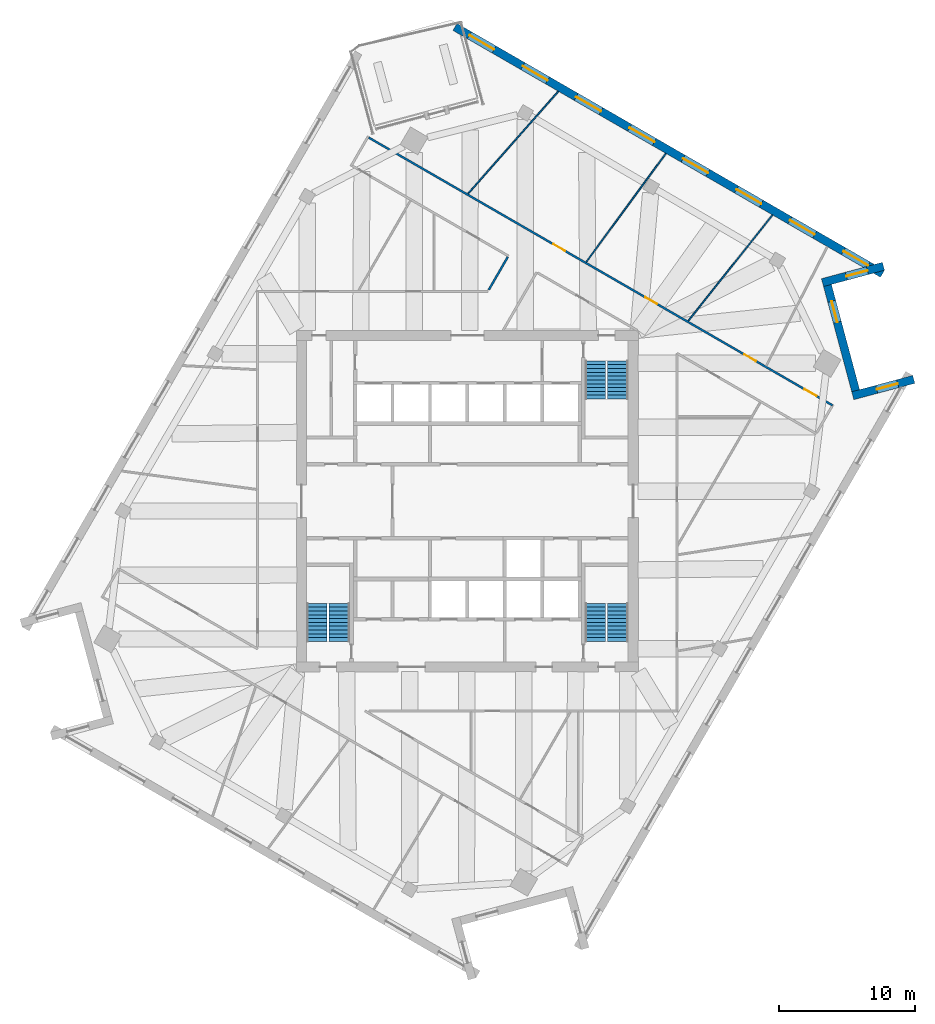
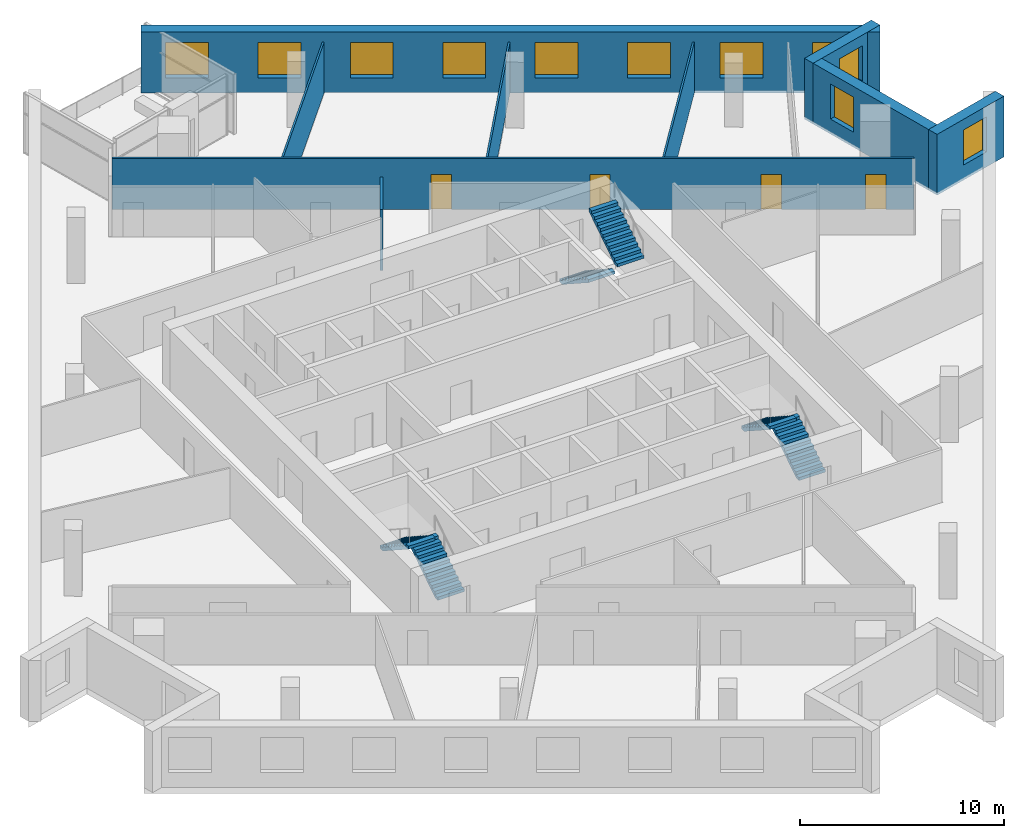
# One storey, part 11 of 13: 11 windows, 9 walls, 6 stair flights, 4 doors, 15 openings, 3 elements without a shape of their own.
"""IFC4 building model written with IfcOpenShell, lengths in metres."""

from ifc_helpers import new_model, si_unit, direction, frame, frame_2d, origin, place, context, subcontext, project, spatial, polyline, rectangle, outline, extrude, material, layer, layer_set, type_object, element, fill, aggregate, save


model = new_model("IFC4")

# Units and contexts
model_context = context("Model", 3, precision=1e-05, world=origin(), true_north=direction((0.0, 1.0)))
body_context = subcontext(model_context, "Body", "Model", "MODEL_VIEW")
ifc_project = project(units=[si_unit("LENGTHUNIT", "METRE"), si_unit("AREAUNIT", "SQUARE_METRE"), si_unit("VOLUMEUNIT", "CUBIC_METRE"), si_unit("PLANEANGLEUNIT", "RADIAN"), si_unit("MASSUNIT", "GRAM", prefix="KILO")], contexts=[model_context])

# Site, building, storey
site_placement = place(None, origin())
site = spatial("IfcSite", under=ifc_project, at=site_placement, CompositionType="ELEMENT")
building_placement = place(site_placement, origin())
building = spatial("IfcBuilding", under=site, at=building_placement, Name="Dilmun Exchange Tower", CompositionType="ELEMENT")
storey_placement = place(building_placement, frame((0.0, 0.0, 270.89990234375)))
storey = spatial("IfcBuildingStorey", under=building, at=storey_placement, Name="L64", CompositionType="ELEMENT", Elevation=270.89990234375)

# Wall, openings, doors
ifc_material_1 = material(Name="Corridor wall 150")
ifc_layer_1 = layer(ifc_material_1, 0.14990234375)
ifc_layer_set_1 = layer_set([ifc_layer_1], Name="Corridor wall 150")
wall_type_1 = type_object("IfcWallType", Name="Corridor wall 150", PredefinedType="PARTITIONING", material=ifc_layer_set_1)
wall_1_placement = place(storey_placement, frame((-7.2470703125, 26.697509765625, 0.0), z_axis=(0.0, 0.0, 1.0), x_axis=(0.866022442497, -0.500005129065, 0.0)))
wall_1 = element("IfcWall", 1, at=wall_1_placement, inside=storey, type_object=wall_type_1, Name="Corridor wall", PredefinedType="PARTITIONING", context=body_context, shape_type="SweptSolid", body=[
    extrude(rectangle(XDim=39.32470703125, YDim=0.14990234375, at=frame_2d((19.662353515625, 0.0))), origin(), (0.0, 0.0, 1.0), 3.0400390625),
])
opening_1_placement = place(wall_1_placement, frame((15.653564453125, 0.0, 0.0)))
opening_1 = element("IfcOpeningElement", 2, at=opening_1_placement, cuts=wall_1, Name="Opening TF62-D16", PredefinedType="OPENING", context=body_context, shape_type="SweptSolid", body=[
    extrude(rectangle(XDim=1.0, YDim=2.10009765625, at=frame_2d((0.5, 1.050048828125))), frame((0.0, 0.0849609375, 0.0), z_axis=(0.0, -1.0, 0.0), x_axis=(1.0, 0.0, 0.0)), (0.0, 0.0, 1.0), 0.169921875),
])
opening_2_placement = place(wall_1_placement, frame((23.441650390625, 0.0, 0.0)))
opening_2 = element("IfcOpeningElement", 3, at=opening_2_placement, cuts=wall_1, Name="Opening TF62-D17", PredefinedType="OPENING", context=body_context, shape_type="SweptSolid", body=[
    extrude(rectangle(XDim=1.0, YDim=2.10009765625, at=frame_2d((0.5, 1.050048828125))), frame((0.0, 0.0849609375, 0.0), z_axis=(0.0, -1.0, 0.0), x_axis=(1.0, 0.0, 0.0)), (0.0, 0.0, 1.0), 0.169921875),
])
opening_3_placement = place(wall_1_placement, frame((31.84130859375, 0.0, 0.0)))
opening_3 = element("IfcOpeningElement", 4, at=opening_3_placement, cuts=wall_1, Name="Opening TF62-D21", PredefinedType="OPENING", context=body_context, shape_type="SweptSolid", body=[
    extrude(rectangle(XDim=1.0, YDim=2.10009765625, at=frame_2d((0.5, 1.050048828125))), frame((0.0, 0.0849609375, 0.0), z_axis=(0.0, -1.0, 0.0), x_axis=(1.0, 0.0, 0.0)), (0.0, 0.0, 1.0), 0.169921875),
])
opening_4_placement = place(wall_1_placement, frame((36.955078125, 0.0, 0.0)))
opening_4 = element("IfcOpeningElement", 5, at=opening_4_placement, cuts=wall_1, Name="Opening TF62-D22", PredefinedType="OPENING", context=body_context, shape_type="SweptSolid", body=[
    extrude(rectangle(XDim=1.0, YDim=2.10009765625, at=frame_2d((0.5, 1.050048828125))), frame((0.0, 0.0849609375, 0.0), z_axis=(0.0, -1.0, 0.0), x_axis=(1.0, 0.0, 0.0)), (0.0, 0.0, 1.0), 0.169921875),
])
ifc_material_2 = material(Name="Fire door 1000 x 2100")
door_type = type_object("IfcDoorType", Name="Fire door 1000 x 2100", OperationType="NOTDEFINED", PredefinedType="DOOR", material=ifc_material_2)
door_1_placement = place(opening_1_placement, origin())
door_1 = element("IfcDoor", 6, at=door_1_placement, inside=storey, type_object=door_type, Name="Door TF62-D16", OperationType="SINGLE_SWING_RIGHT", OverallHeight=2.10009765625, OverallWidth=1.0, PredefinedType="DOOR", context=body_context, shape_type="SweptSolid", body=[
    extrude(rectangle(XDim=1.0, YDim=2.10009765625, at=frame_2d((0.5, 1.050048828125))), frame((0.0, 0.02490234375, 0.0), z_axis=(0.0, -1.0, 0.0), x_axis=(1.0, 0.0, 0.0)), (0.0, 0.0, 1.0), 0.050048828125),
])
fill(opening_1, door_1)
door_2_placement = place(opening_2_placement, origin())
door_2 = element("IfcDoor", 7, at=door_2_placement, inside=storey, type_object=door_type, Name="Door TF62-D17", OperationType="SINGLE_SWING_RIGHT", OverallHeight=2.10009765625, OverallWidth=1.0, PredefinedType="DOOR", context=body_context, shape_type="SweptSolid", body=[
    extrude(rectangle(XDim=1.0, YDim=2.10009765625, at=frame_2d((0.5, 1.050048828125))), frame((0.0, 0.02490234375, 0.0), z_axis=(0.0, -1.0, 0.0), x_axis=(1.0, 0.0, 0.0)), (0.0, 0.0, 1.0), 0.050048828125),
])
fill(opening_2, door_2)
door_3_placement = place(opening_3_placement, origin())
door_3 = element("IfcDoor", 8, at=door_3_placement, inside=storey, type_object=door_type, Name="Door TF62-D21", OperationType="SINGLE_SWING_RIGHT", OverallHeight=2.10009765625, OverallWidth=1.0, PredefinedType="DOOR", context=body_context, shape_type="SweptSolid", body=[
    extrude(rectangle(XDim=1.0, YDim=2.10009765625, at=frame_2d((0.5, 1.050048828125))), frame((0.0, 0.02490234375, 0.0), z_axis=(0.0, -1.0, 0.0), x_axis=(1.0, 0.0, 0.0)), (0.0, 0.0, 1.0), 0.050048828125),
])
fill(opening_3, door_3)
door_4_placement = place(opening_4_placement, origin())
door_4 = element("IfcDoor", 9, at=door_4_placement, inside=storey, type_object=door_type, Name="Door TF62-D22", OperationType="SINGLE_SWING_RIGHT", OverallHeight=2.10009765625, OverallWidth=1.0, PredefinedType="DOOR", context=body_context, shape_type="SweptSolid", body=[
    extrude(rectangle(XDim=1.0, YDim=2.10009765625, at=frame_2d((0.5, 1.050048828125))), frame((0.0, 0.02490234375, 0.0), z_axis=(0.0, -1.0, 0.0), x_axis=(1.0, 0.0, 0.0)), (0.0, 0.0, 1.0), 0.050048828125),
])
fill(opening_4, door_4)

# Walls
wall_2_placement = place(storey_placement, frame((1.56591796875, 15.512451171875, 0.0), z_axis=(0.0, 0.0, 1.0), x_axis=(0.500136902793, 0.865946348491, 0.0)))
element("IfcWall", 10, at=wall_2_placement, inside=storey, type_object=wall_type_1, Name="Corridor wall", PredefinedType="PARTITIONING", context=body_context, shape_type="SweptSolid", body=[
    extrude(rectangle(XDim=2.804443359375, YDim=0.14990234375, at=frame_2d((1.40234375, 0.0))), origin(), (0.0, 0.0, 1.0), 3.64013671875),
])
ifc_material_3 = material(Name="Partition 100")
ifc_layer_2 = layer(ifc_material_3, 0.10009765625)
ifc_layer_set_2 = layer_set([ifc_layer_2], Name="Partition 100")
wall_type_2 = type_object("IfcWallType", Name="Partition 100", PredefinedType="PARTITIONING", material=ifc_layer_set_2)
wall_3_placement = place(storey_placement, frame((0.04541015625, 22.5859375, 0.0), z_axis=(0.0, 0.0, 1.0), x_axis=(0.662385571542, 0.749163102811, 0.0)))
element("IfcWall", 11, at=wall_3_placement, inside=storey, type_object=wall_type_2, Name="Partition", PredefinedType="PARTITIONING", context=body_context, shape_type="SweptSolid", body=[
    extrude(rectangle(XDim=10.015625, YDim=0.10009765625, at=frame_2d((5.0078125, 0.0))), origin(), (0.0, 0.0, 1.0), 3.0400390625),
])
wall_4_placement = place(storey_placement, frame((8.727783203125, 17.5673828125, 0.0), z_axis=(0.0, 0.0, 1.0), x_axis=(0.591764258376, 0.806111073307, 0.0)))
element("IfcWall", 12, at=wall_4_placement, inside=storey, type_object=wall_type_2, Name="Partition", PredefinedType="PARTITIONING", context=body_context, shape_type="SweptSolid", body=[
    extrude(rectangle(XDim=9.879638671875, YDim=0.10009765625, at=frame_2d((4.93994140625, 0.0))), origin(), (0.0, 0.0, 1.0), 3.0400390625),
])
wall_5_placement = place(storey_placement, frame((16.222900390625, 13.2421875, 0.0), z_axis=(0.0, 0.0, 1.0), x_axis=(0.622346910835, 0.78274154264, 0.0)))
element("IfcWall", 13, at=wall_5_placement, inside=storey, type_object=wall_type_2, Name="Partition", PredefinedType="PARTITIONING", context=body_context, shape_type="SweptSolid", body=[
    extrude(rectangle(XDim=9.92724609375, YDim=0.10009765625, at=frame_2d((4.963623046875, 0.0))), origin(), (0.0, 0.0, 1.0), 3.0400390625),
])

# Wall, opening, window
ifc_material_4 = material(Name="Precast concrete C50/60", Category="concrete")
ifc_layer_3 = layer(ifc_material_4, 0.60009765625)
ifc_layer_set_3 = layer_set([ifc_layer_3], Name="Precast concrete C50/60")
wall_type_3 = type_object("IfcWallType", Name="Precast stone-clad wall 600", PredefinedType="STANDARD", material=ifc_layer_set_3)
wall_6_placement = place(storey_placement, frame((32.77392578125, 8.94189453125, 0.0), z_axis=(0.0, 0.0, 1.0), x_axis=(-0.965928304125, -0.258809797517, 0.0)))
wall_6 = element("IfcWall", 14, at=wall_6_placement, inside=storey, type_object=wall_type_3, Name="Facade wall L64-12", PredefinedType="STANDARD", context=body_context, shape_type="SweptSolid", body=[
    extrude(rectangle(XDim=4.635498046875, YDim=0.60009765625, at=frame_2d((2.31787109375, 0.0))), origin(), (0.0, 0.0, 1.0), 3.64013671875),
])
opening_5_placement = place(wall_6_placement, frame((1.2177734375, 0.0, 0.89990234375)))
opening_5 = element("IfcOpeningElement", 15, at=opening_5_placement, cuts=wall_6, Name="Opening W160-210", PredefinedType="OPENING", context=body_context, shape_type="SweptSolid", body=[
    extrude(rectangle(XDim=1.60009765625, YDim=2.10009765625, at=frame_2d((0.800048828125, 1.050048828125))), frame((0.0, 0.31005859375, 0.0), z_axis=(0.0, -1.0, 0.0), x_axis=(1.0, 0.0, 0.0)), (0.0, 0.0, 1.0), 0.6201171875),
])
ifc_material_5 = material(Name="Clear low-emissivity glass in aluminium frame", Category="aluminium")
window_type_1 = type_object("IfcWindowType", Name="Punched window 1600 x 2100", PartitioningType="DOUBLE_PANEL_VERTICAL", PredefinedType="WINDOW", material=ifc_material_5)
window_1_placement = place(opening_5_placement, origin())
window_1 = element("IfcWindow", 16, at=window_1_placement, inside=storey, type_object=window_type_1, Name="Window 13.1", OverallHeight=2.10009765625, OverallWidth=1.60009765625, PartitioningType="SINGLE_PANEL", PredefinedType="WINDOW", context=body_context, shape_type="SweptSolid", body=[
    extrude(rectangle(XDim=1.60009765625, YDim=2.10009765625, at=frame_2d((0.800048828125, 1.050048828125))), frame((0.0, 0.030029296875, 0.0), z_axis=(0.0, -1.0, 0.0), x_axis=(1.0, 0.0, 0.0)), (0.0, 0.0, 1.0), 0.06005859375),
])
fill(opening_5, window_1)

wall_7_placement = place(storey_placement, frame((28.508544921875, 8.109619140625, 0.0), z_axis=(0.0, 0.0, 1.0), x_axis=(-0.258815405168, 0.965926801599, 0.0)))
wall_7 = element("IfcWall", 17, at=wall_7_placement, inside=storey, type_object=wall_type_3, Name="Facade wall L64-13", PredefinedType="STANDARD", context=body_context, shape_type="SweptSolid", body=[
    extrude(rectangle(XDim=8.000244140625, YDim=0.60009765625, at=frame_2d((4.0, 0.0))), origin(), (0.0, 0.0, 1.0), 3.64013671875),
])
opening_6_placement = place(wall_7_placement, frame((5.199951171875, 0.0, 0.89990234375)))
opening_6 = element("IfcOpeningElement", 18, at=opening_6_placement, cuts=wall_7, Name="Opening W160-210", PredefinedType="OPENING", context=body_context, shape_type="SweptSolid", body=[
    extrude(rectangle(XDim=1.60009765625, YDim=2.10009765625, at=frame_2d((0.800048828125, 1.050048828125))), frame((0.0, 0.31005859375, 0.0), z_axis=(0.0, -1.0, 0.0), x_axis=(1.0, 0.0, 0.0)), (0.0, 0.0, 1.0), 0.6201171875),
])
window_2_placement = place(opening_6_placement, origin())
window_2 = element("IfcWindow", 19, at=window_2_placement, inside=storey, type_object=window_type_1, Name="Window 14.2", OverallHeight=2.10009765625, OverallWidth=1.60009765625, PartitioningType="SINGLE_PANEL", PredefinedType="WINDOW", context=body_context, shape_type="SweptSolid", body=[
    extrude(rectangle(XDim=1.60009765625, YDim=2.10009765625, at=frame_2d((0.800048828125, 1.050048828125))), frame((0.0, 0.030029296875, 0.0), z_axis=(0.0, -1.0, 0.0), x_axis=(1.0, 0.0, 0.0)), (0.0, 0.0, 1.0), 0.06005859375),
])
fill(opening_6, window_2)

wall_8_placement = place(storey_placement, frame((26.070556640625, 16.04931640625, 0.0), z_axis=(0.0, 0.0, 1.0), x_axis=(0.965928304125, 0.258809797517, 0.0)))
wall_8 = element("IfcWall", 20, at=wall_8_placement, inside=storey, type_object=wall_type_3, Name="Facade wall L64-14", PredefinedType="STANDARD", context=body_context, shape_type="SweptSolid", body=[
    extrude(rectangle(XDim=4.635498046875, YDim=0.60009765625, at=frame_2d((2.31787109375, 0.0))), origin(), (0.0, 0.0, 1.0), 3.64013671875),
])
opening_7_placement = place(wall_8_placement, frame((1.81787109375, 0.0, 0.89990234375)))
opening_7 = element("IfcOpeningElement", 21, at=opening_7_placement, cuts=wall_8, Name="Opening W160-210", PredefinedType="OPENING", context=body_context, shape_type="SweptSolid", body=[
    extrude(rectangle(XDim=1.60009765625, YDim=2.10009765625, at=frame_2d((0.800048828125, 1.050048828125))), frame((0.0, 0.31005859375, 0.0), z_axis=(0.0, -1.0, 0.0), x_axis=(1.0, 0.0, 0.0)), (0.0, 0.0, 1.0), 0.6201171875),
])
window_3_placement = place(opening_7_placement, origin())
window_3 = element("IfcWindow", 22, at=window_3_placement, inside=storey, type_object=window_type_1, Name="Window 15.1", OverallHeight=2.10009765625, OverallWidth=1.60009765625, PartitioningType="SINGLE_PANEL", PredefinedType="WINDOW", context=body_context, shape_type="SweptSolid", body=[
    extrude(rectangle(XDim=1.60009765625, YDim=2.10009765625, at=frame_2d((0.800048828125, 1.050048828125))), frame((0.0, 0.030029296875, 0.0), z_axis=(0.0, -1.0, 0.0), x_axis=(1.0, 0.0, 0.0)), (0.0, 0.0, 1.0), 0.06005859375),
])
fill(opening_7, window_3)

# Wall, openings, windows
wall_9_placement = place(storey_placement, frame((30.475830078125, 16.699462890625, 0.0), z_axis=(0.0, 0.0, 1.0), x_axis=(-0.866025061514, 0.500000592829, 0.0)))
wall_9 = element("IfcWall", 23, at=wall_9_placement, inside=storey, type_object=wall_type_3, Name="Facade wall L64-15", PredefinedType="STANDARD", context=body_context, shape_type="SweptSolid", body=[
    extrude(rectangle(XDim=36.2431640625, YDim=0.60009765625, at=frame_2d((18.12158203125, 0.0))), origin(), (0.0, 0.0, 1.0), 3.64013671875),
])
opening_8_placement = place(wall_9_placement, frame((1.215087890625, 0.0, 0.89990234375)))
opening_8 = element("IfcOpeningElement", 24, at=opening_8_placement, cuts=wall_9, Name="Opening W210-210", PredefinedType="OPENING", context=body_context, shape_type="SweptSolid", body=[
    extrude(rectangle(XDim=2.10009765625, YDim=2.10009765625, at=frame_2d((1.050048828125, 1.050048828125))), frame((0.0, 0.31005859375, 0.0), z_axis=(0.0, -1.0, 0.0), x_axis=(1.0, 0.0, 0.0)), (0.0, 0.0, 1.0), 0.6201171875),
])
opening_9_placement = place(wall_9_placement, frame((5.74560546875, 0.0, 0.89990234375)))
opening_9 = element("IfcOpeningElement", 25, at=opening_9_placement, cuts=wall_9, Name="Opening W210-210", PredefinedType="OPENING", context=body_context, shape_type="SweptSolid", body=[
    extrude(rectangle(XDim=2.10009765625, YDim=2.10009765625, at=frame_2d((1.050048828125, 1.050048828125))), frame((0.0, 0.31005859375, 0.0), z_axis=(0.0, -1.0, 0.0), x_axis=(1.0, 0.0, 0.0)), (0.0, 0.0, 1.0), 0.6201171875),
])
opening_10_placement = place(wall_9_placement, frame((10.27587890625, 0.0, 0.89990234375)))
opening_10 = element("IfcOpeningElement", 26, at=opening_10_placement, cuts=wall_9, Name="Opening W210-210", PredefinedType="OPENING", context=body_context, shape_type="SweptSolid", body=[
    extrude(rectangle(XDim=2.10009765625, YDim=2.10009765625, at=frame_2d((1.050048828125, 1.050048828125))), frame((0.0, 0.31005859375, 0.0), z_axis=(0.0, -1.0, 0.0), x_axis=(1.0, 0.0, 0.0)), (0.0, 0.0, 1.0), 0.6201171875),
])
opening_11_placement = place(wall_9_placement, frame((14.806396484375, 0.0, 0.89990234375)))
opening_11 = element("IfcOpeningElement", 27, at=opening_11_placement, cuts=wall_9, Name="Opening W210-210", PredefinedType="OPENING", context=body_context, shape_type="SweptSolid", body=[
    extrude(rectangle(XDim=2.10009765625, YDim=2.10009765625, at=frame_2d((1.050048828125, 1.050048828125))), frame((0.0, 0.31005859375, 0.0), z_axis=(0.0, -1.0, 0.0), x_axis=(1.0, 0.0, 0.0)), (0.0, 0.0, 1.0), 0.6201171875),
])
opening_12_placement = place(wall_9_placement, frame((19.3369140625, 0.0, 0.89990234375)))
opening_12 = element("IfcOpeningElement", 28, at=opening_12_placement, cuts=wall_9, Name="Opening W210-210", PredefinedType="OPENING", context=body_context, shape_type="SweptSolid", body=[
    extrude(rectangle(XDim=2.10009765625, YDim=2.10009765625, at=frame_2d((1.050048828125, 1.050048828125))), frame((0.0, 0.31005859375, 0.0), z_axis=(0.0, -1.0, 0.0), x_axis=(1.0, 0.0, 0.0)), (0.0, 0.0, 1.0), 0.6201171875),
])
opening_13_placement = place(wall_9_placement, frame((23.8671875, 0.0, 0.89990234375)))
opening_13 = element("IfcOpeningElement", 29, at=opening_13_placement, cuts=wall_9, Name="Opening W210-210", PredefinedType="OPENING", context=body_context, shape_type="SweptSolid", body=[
    extrude(rectangle(XDim=2.10009765625, YDim=2.10009765625, at=frame_2d((1.050048828125, 1.050048828125))), frame((0.0, 0.31005859375, 0.0), z_axis=(0.0, -1.0, 0.0), x_axis=(1.0, 0.0, 0.0)), (0.0, 0.0, 1.0), 0.6201171875),
])
opening_14_placement = place(wall_9_placement, frame((28.397705078125, 0.0, 0.89990234375)))
opening_14 = element("IfcOpeningElement", 30, at=opening_14_placement, cuts=wall_9, Name="Opening W210-210", PredefinedType="OPENING", context=body_context, shape_type="SweptSolid", body=[
    extrude(rectangle(XDim=2.10009765625, YDim=2.10009765625, at=frame_2d((1.050048828125, 1.050048828125))), frame((0.0, 0.31005859375, 0.0), z_axis=(0.0, -1.0, 0.0), x_axis=(1.0, 0.0, 0.0)), (0.0, 0.0, 1.0), 0.6201171875),
])
opening_15_placement = place(wall_9_placement, frame((32.927978515625, 0.0, 0.89990234375)))
opening_15 = element("IfcOpeningElement", 31, at=opening_15_placement, cuts=wall_9, Name="Opening W210-210", PredefinedType="OPENING", context=body_context, shape_type="SweptSolid", body=[
    extrude(rectangle(XDim=2.10009765625, YDim=2.10009765625, at=frame_2d((1.050048828125, 1.050048828125))), frame((0.0, 0.31005859375, 0.0), z_axis=(0.0, -1.0, 0.0), x_axis=(1.0, 0.0, 0.0)), (0.0, 0.0, 1.0), 0.6201171875),
])
window_type_2 = type_object("IfcWindowType", Name="Punched window 2100 x 2100", PartitioningType="DOUBLE_PANEL_VERTICAL", PredefinedType="WINDOW", material=ifc_material_5)
window_4_placement = place(opening_8_placement, origin())
window_4 = element("IfcWindow", 32, at=window_4_placement, inside=storey, type_object=window_type_2, Name="Window 16.1", OverallHeight=2.10009765625, OverallWidth=2.10009765625, PartitioningType="SINGLE_PANEL", PredefinedType="WINDOW", context=body_context, shape_type="SweptSolid", body=[
    extrude(rectangle(XDim=2.10009765625, YDim=2.10009765625, at=frame_2d((1.050048828125, 1.050048828125))), frame((0.0, 0.030029296875, 0.0), z_axis=(0.0, -1.0, 0.0), x_axis=(1.0, 0.0, 0.0)), (0.0, 0.0, 1.0), 0.06005859375),
])
fill(opening_8, window_4)
window_5_placement = place(opening_9_placement, origin())
window_5 = element("IfcWindow", 33, at=window_5_placement, inside=storey, type_object=window_type_2, Name="Window 16.2", OverallHeight=2.10009765625, OverallWidth=2.10009765625, PartitioningType="SINGLE_PANEL", PredefinedType="WINDOW", context=body_context, shape_type="SweptSolid", body=[
    extrude(rectangle(XDim=2.10009765625, YDim=2.10009765625, at=frame_2d((1.050048828125, 1.050048828125))), frame((0.0, 0.030029296875, 0.0), z_axis=(0.0, -1.0, 0.0), x_axis=(1.0, 0.0, 0.0)), (0.0, 0.0, 1.0), 0.06005859375),
])
fill(opening_9, window_5)
window_6_placement = place(opening_10_placement, origin())
window_6 = element("IfcWindow", 34, at=window_6_placement, inside=storey, type_object=window_type_2, Name="Window 16.3", OverallHeight=2.10009765625, OverallWidth=2.10009765625, PartitioningType="SINGLE_PANEL", PredefinedType="WINDOW", context=body_context, shape_type="SweptSolid", body=[
    extrude(rectangle(XDim=2.10009765625, YDim=2.10009765625, at=frame_2d((1.050048828125, 1.050048828125))), frame((0.0, 0.030029296875, 0.0), z_axis=(0.0, -1.0, 0.0), x_axis=(1.0, 0.0, 0.0)), (0.0, 0.0, 1.0), 0.06005859375),
])
fill(opening_10, window_6)
window_7_placement = place(opening_11_placement, origin())
window_7 = element("IfcWindow", 35, at=window_7_placement, inside=storey, type_object=window_type_2, Name="Window 16.4", OverallHeight=2.10009765625, OverallWidth=2.10009765625, PartitioningType="SINGLE_PANEL", PredefinedType="WINDOW", context=body_context, shape_type="SweptSolid", body=[
    extrude(rectangle(XDim=2.10009765625, YDim=2.10009765625, at=frame_2d((1.050048828125, 1.050048828125))), frame((0.0, 0.030029296875, 0.0), z_axis=(0.0, -1.0, 0.0), x_axis=(1.0, 0.0, 0.0)), (0.0, 0.0, 1.0), 0.06005859375),
])
fill(opening_11, window_7)
window_8_placement = place(opening_12_placement, origin())
window_8 = element("IfcWindow", 36, at=window_8_placement, inside=storey, type_object=window_type_2, Name="Window 16.5", OverallHeight=2.10009765625, OverallWidth=2.10009765625, PartitioningType="SINGLE_PANEL", PredefinedType="WINDOW", context=body_context, shape_type="SweptSolid", body=[
    extrude(rectangle(XDim=2.10009765625, YDim=2.10009765625, at=frame_2d((1.050048828125, 1.050048828125))), frame((0.0, 0.030029296875, 0.0), z_axis=(0.0, -1.0, 0.0), x_axis=(1.0, 0.0, 0.0)), (0.0, 0.0, 1.0), 0.06005859375),
])
fill(opening_12, window_8)
window_9_placement = place(opening_13_placement, origin())
window_9 = element("IfcWindow", 37, at=window_9_placement, inside=storey, type_object=window_type_2, Name="Window 16.6", OverallHeight=2.10009765625, OverallWidth=2.10009765625, PartitioningType="SINGLE_PANEL", PredefinedType="WINDOW", context=body_context, shape_type="SweptSolid", body=[
    extrude(rectangle(XDim=2.10009765625, YDim=2.10009765625, at=frame_2d((1.050048828125, 1.050048828125))), frame((0.0, 0.030029296875, 0.0), z_axis=(0.0, -1.0, 0.0), x_axis=(1.0, 0.0, 0.0)), (0.0, 0.0, 1.0), 0.06005859375),
])
fill(opening_13, window_9)
window_10_placement = place(opening_14_placement, origin())
window_10 = element("IfcWindow", 38, at=window_10_placement, inside=storey, type_object=window_type_2, Name="Window 16.7", OverallHeight=2.10009765625, OverallWidth=2.10009765625, PartitioningType="SINGLE_PANEL", PredefinedType="WINDOW", context=body_context, shape_type="SweptSolid", body=[
    extrude(rectangle(XDim=2.10009765625, YDim=2.10009765625, at=frame_2d((1.050048828125, 1.050048828125))), frame((0.0, 0.030029296875, 0.0), z_axis=(0.0, -1.0, 0.0), x_axis=(1.0, 0.0, 0.0)), (0.0, 0.0, 1.0), 0.06005859375),
])
fill(opening_14, window_10)
window_11_placement = place(opening_15_placement, origin())
window_11 = element("IfcWindow", 39, at=window_11_placement, inside=storey, type_object=window_type_2, Name="Window 16.8", OverallHeight=2.10009765625, OverallWidth=2.10009765625, PartitioningType="SINGLE_PANEL", PredefinedType="WINDOW", context=body_context, shape_type="SweptSolid", body=[
    extrude(rectangle(XDim=2.10009765625, YDim=2.10009765625, at=frame_2d((1.050048828125, 1.050048828125))), frame((0.0, 0.030029296875, 0.0), z_axis=(0.0, -1.0, 0.0), x_axis=(1.0, 0.0, 0.0)), (0.0, 0.0, 1.0), 0.06005859375),
])
fill(opening_15, window_11)

# Stair, stair flights
ifc_material_6 = material(Name="Concrete C40/50", Category="concrete")
stair_type = type_object("IfcStairType", Name="Exit stair 1500 half-turn", PredefinedType="HALF_TURN_STAIR", material=ifc_material_6)
stair_1_placement = place(storey_placement, origin())
stair_1 = element("IfcStair", 40, at=stair_1_placement, inside=storey, type_object=stair_type, Name="L64 Protected exit stair ST1", PredefinedType="HALF_TURN_STAIR")
stair_flight_type = type_object("IfcStairFlightType", Name="Exit stair flight 1500", PredefinedType="STRAIGHT", material=ifc_material_6)
stair_flight_1_placement = place(storey_placement, frame((9.39990234375, 10.300048828125, 0.0), z_axis=(0.0, 0.0, 1.0), x_axis=(0.0, -1.0, 0.0)))
stair_flight_1 = element("IfcStairFlight", 41, at=stair_flight_1_placement, type_object=stair_flight_type, Name="ST1 flight 1", NumberOfRisers=11, NumberOfTreads=10, PredefinedType="STRAIGHT", RiserHeight=0.181818182, TreadLength=0.28, context=body_context, shape_type="SweptSolid", body=[
    extrude(outline(polyline([(0.0, 0.0), (0.0, 0.181884765625), (0.280029296875, 0.181884765625), (0.280029296875, 0.363525390625), (0.56005859375, 0.363525390625), (0.56005859375, 0.54541015625), (0.840087890625, 0.54541015625), (0.840087890625, 0.727294921875), (1.1201171875, 0.727294921875), (1.1201171875, 0.9091796875), (1.39990234375, 0.9091796875), (1.39990234375, 1.0908203125), (1.679931640625, 1.0908203125), (1.679931640625, 1.272705078125), (1.9599609375, 1.272705078125), (1.9599609375, 1.45458984375), (2.239990234375, 1.45458984375), (2.239990234375, 1.636474609375), (2.52001953125, 1.636474609375), (2.52001953125, 1.818115234375), (2.800048828125, 1.818115234375), (2.800048828125, 2.0), (2.800048828125, 1.639404296875), (0.275146484375, 0.0), (0.0, 0.0)])), frame((0.0, 0.75, 0.0), z_axis=(0.0, -1.0, 0.0), x_axis=(1.0, 0.0, 0.0)), (0.0, 0.0, 1.0), 1.5),
])
stair_flight_2_placement = place(storey_placement, frame((11.050048828125, 7.5, 2.0), z_axis=(0.0, 0.0, 1.0), x_axis=(0.0, 1.0, 0.0)))
stair_flight_2 = element("IfcStairFlight", 42, at=stair_flight_2_placement, type_object=stair_flight_type, Name="ST1 flight 2", NumberOfRisers=11, NumberOfTreads=10, PredefinedType="STRAIGHT", RiserHeight=0.181818182, TreadLength=0.28, context=body_context, shape_type="SweptSolid", body=[
    extrude(outline(polyline([(0.0, 0.0), (0.0, 0.181884765625), (0.280029296875, 0.181884765625), (0.280029296875, 0.363525390625), (0.56005859375, 0.363525390625), (0.56005859375, 0.54541015625), (0.840087890625, 0.54541015625), (0.840087890625, 0.727294921875), (1.1201171875, 0.727294921875), (1.1201171875, 0.9091796875), (1.39990234375, 0.9091796875), (1.39990234375, 1.0908203125), (1.679931640625, 1.0908203125), (1.679931640625, 1.272705078125), (1.9599609375, 1.272705078125), (1.9599609375, 1.45458984375), (2.239990234375, 1.45458984375), (2.239990234375, 1.636474609375), (2.52001953125, 1.636474609375), (2.52001953125, 1.818115234375), (2.800048828125, 1.818115234375), (2.800048828125, 2.0), (2.800048828125, 1.639404296875), (0.275146484375, 0.0), (0.0, 0.0)])), frame((0.0, 0.75, 0.0), z_axis=(0.0, -1.0, 0.0), x_axis=(1.0, 0.0, 0.0)), (0.0, 0.0, 1.0), 1.5),
])
aggregate(stair_1, [stair_flight_1, stair_flight_2])

stair_2_placement = place(storey_placement, origin())
stair_2 = element("IfcStair", 43, at=stair_2_placement, inside=storey, type_object=stair_type, Name="L64 Protected exit stair ST2", PredefinedType="HALF_TURN_STAIR")
stair_flight_3_placement = place(storey_placement, frame((-9.39990234375, -10.300048828125, 0.0), z_axis=(0.0, 0.0, 1.0), x_axis=(0.0, 1.0, 0.0)))
stair_flight_3 = element("IfcStairFlight", 44, at=stair_flight_3_placement, type_object=stair_flight_type, Name="ST2 flight 1", NumberOfRisers=11, NumberOfTreads=10, PredefinedType="STRAIGHT", RiserHeight=0.181818182, TreadLength=0.28, context=body_context, shape_type="SweptSolid", body=[
    extrude(outline(polyline([(0.0, 0.0), (0.0, 0.181884765625), (0.280029296875, 0.181884765625), (0.280029296875, 0.363525390625), (0.56005859375, 0.363525390625), (0.56005859375, 0.54541015625), (0.840087890625, 0.54541015625), (0.840087890625, 0.727294921875), (1.1201171875, 0.727294921875), (1.1201171875, 0.9091796875), (1.39990234375, 0.9091796875), (1.39990234375, 1.0908203125), (1.679931640625, 1.0908203125), (1.679931640625, 1.272705078125), (1.9599609375, 1.272705078125), (1.9599609375, 1.45458984375), (2.239990234375, 1.45458984375), (2.239990234375, 1.636474609375), (2.52001953125, 1.636474609375), (2.52001953125, 1.818115234375), (2.800048828125, 1.818115234375), (2.800048828125, 2.0), (2.800048828125, 1.639404296875), (0.275146484375, 0.0), (0.0, 0.0)])), frame((0.0, 0.75, 0.0), z_axis=(0.0, -1.0, 0.0), x_axis=(1.0, 0.0, 0.0)), (0.0, 0.0, 1.0), 1.5),
])
stair_flight_4_placement = place(storey_placement, frame((-11.050048828125, -7.5, 2.0), z_axis=(0.0, 0.0, 1.0), x_axis=(0.0, -1.0, 0.0)))
stair_flight_4 = element("IfcStairFlight", 45, at=stair_flight_4_placement, type_object=stair_flight_type, Name="ST2 flight 2", NumberOfRisers=11, NumberOfTreads=10, PredefinedType="STRAIGHT", RiserHeight=0.181818182, TreadLength=0.28, context=body_context, shape_type="SweptSolid", body=[
    extrude(outline(polyline([(0.0, 0.0), (0.0, 0.181884765625), (0.280029296875, 0.181884765625), (0.280029296875, 0.363525390625), (0.56005859375, 0.363525390625), (0.56005859375, 0.54541015625), (0.840087890625, 0.54541015625), (0.840087890625, 0.727294921875), (1.1201171875, 0.727294921875), (1.1201171875, 0.9091796875), (1.39990234375, 0.9091796875), (1.39990234375, 1.0908203125), (1.679931640625, 1.0908203125), (1.679931640625, 1.272705078125), (1.9599609375, 1.272705078125), (1.9599609375, 1.45458984375), (2.239990234375, 1.45458984375), (2.239990234375, 1.636474609375), (2.52001953125, 1.636474609375), (2.52001953125, 1.818115234375), (2.800048828125, 1.818115234375), (2.800048828125, 2.0), (2.800048828125, 1.639404296875), (0.275146484375, 0.0), (0.0, 0.0)])), frame((0.0, 0.75, 0.0), z_axis=(0.0, -1.0, 0.0), x_axis=(1.0, 0.0, 0.0)), (0.0, 0.0, 1.0), 1.5),
])
aggregate(stair_2, [stair_flight_3, stair_flight_4])

stair_3_placement = place(storey_placement, origin())
stair_3 = element("IfcStair", 46, at=stair_3_placement, inside=storey, type_object=stair_type, Name="L64 Protected exit stair ST3", PredefinedType="HALF_TURN_STAIR")
stair_flight_5_placement = place(storey_placement, frame((11.050048828125, -10.300048828125, 0.0), z_axis=(0.0, 0.0, 1.0), x_axis=(0.0, 1.0, 0.0)))
stair_flight_5 = element("IfcStairFlight", 47, at=stair_flight_5_placement, type_object=stair_flight_type, Name="ST3 flight 1", NumberOfRisers=11, NumberOfTreads=10, PredefinedType="STRAIGHT", RiserHeight=0.181818182, TreadLength=0.28, context=body_context, shape_type="SweptSolid", body=[
    extrude(outline(polyline([(0.0, 0.0), (0.0, 0.181884765625), (0.280029296875, 0.181884765625), (0.280029296875, 0.363525390625), (0.56005859375, 0.363525390625), (0.56005859375, 0.54541015625), (0.840087890625, 0.54541015625), (0.840087890625, 0.727294921875), (1.1201171875, 0.727294921875), (1.1201171875, 0.9091796875), (1.39990234375, 0.9091796875), (1.39990234375, 1.0908203125), (1.679931640625, 1.0908203125), (1.679931640625, 1.272705078125), (1.9599609375, 1.272705078125), (1.9599609375, 1.45458984375), (2.239990234375, 1.45458984375), (2.239990234375, 1.636474609375), (2.52001953125, 1.636474609375), (2.52001953125, 1.818115234375), (2.800048828125, 1.818115234375), (2.800048828125, 2.0), (2.800048828125, 1.639404296875), (0.275146484375, 0.0), (0.0, 0.0)])), frame((0.0, 0.75, 0.0), z_axis=(0.0, -1.0, 0.0), x_axis=(1.0, 0.0, 0.0)), (0.0, 0.0, 1.0), 1.5),
])
stair_flight_6_placement = place(storey_placement, frame((9.39990234375, -7.5, 2.0), z_axis=(0.0, 0.0, 1.0), x_axis=(0.0, -1.0, 0.0)))
stair_flight_6 = element("IfcStairFlight", 48, at=stair_flight_6_placement, type_object=stair_flight_type, Name="ST3 flight 2", NumberOfRisers=11, NumberOfTreads=10, PredefinedType="STRAIGHT", RiserHeight=0.181818182, TreadLength=0.28, context=body_context, shape_type="SweptSolid", body=[
    extrude(outline(polyline([(0.0, 0.0), (0.0, 0.181884765625), (0.280029296875, 0.181884765625), (0.280029296875, 0.363525390625), (0.56005859375, 0.363525390625), (0.56005859375, 0.54541015625), (0.840087890625, 0.54541015625), (0.840087890625, 0.727294921875), (1.1201171875, 0.727294921875), (1.1201171875, 0.9091796875), (1.39990234375, 0.9091796875), (1.39990234375, 1.0908203125), (1.679931640625, 1.0908203125), (1.679931640625, 1.272705078125), (1.9599609375, 1.272705078125), (1.9599609375, 1.45458984375), (2.239990234375, 1.45458984375), (2.239990234375, 1.636474609375), (2.52001953125, 1.636474609375), (2.52001953125, 1.818115234375), (2.800048828125, 1.818115234375), (2.800048828125, 2.0), (2.800048828125, 1.639404296875), (0.275146484375, 0.0), (0.0, 0.0)])), frame((0.0, 0.75, 0.0), z_axis=(0.0, -1.0, 0.0), x_axis=(1.0, 0.0, 0.0)), (0.0, 0.0, 1.0), 1.5),
])
aggregate(stair_3, [stair_flight_5, stair_flight_6])

save(model, "model.ifc")
